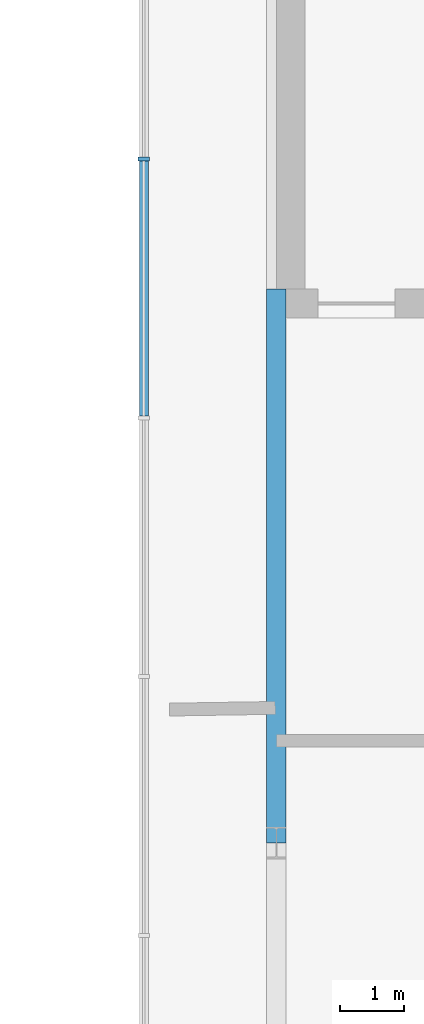
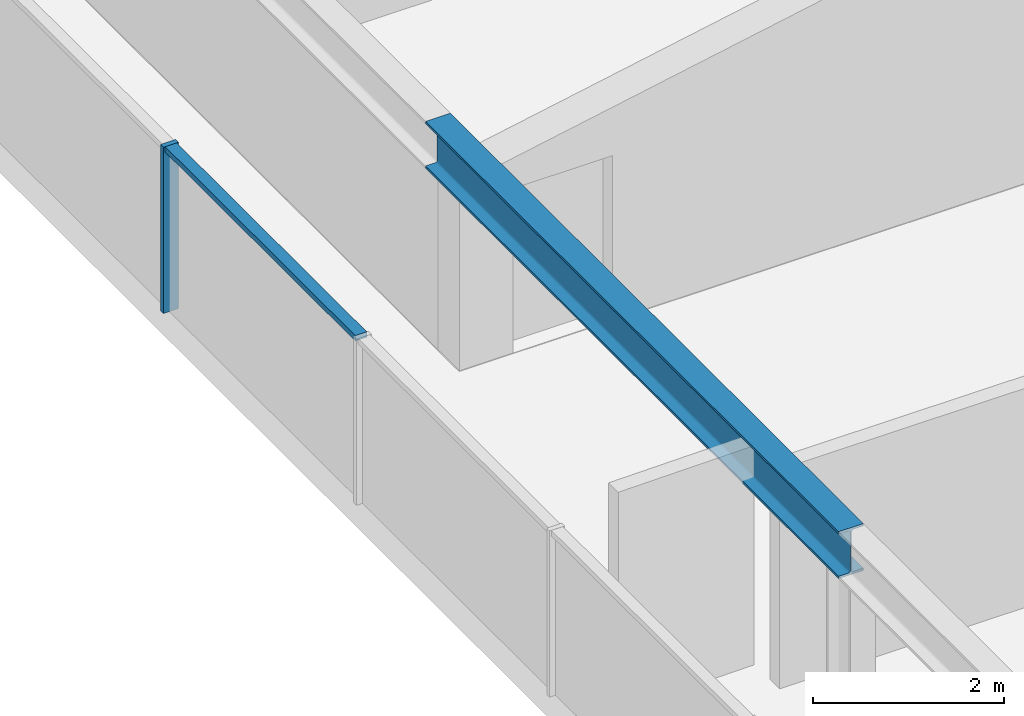
# One storey, part 4 of 17: 2 members, 1 beam, 1 element without a shape of its own.
"""IFC4 building model written with IfcOpenShell, lengths in metres."""

import ifcopenshell
import ifcopenshell.guid

model = None  # the IFC model being written
_history = None  # IfcOwnerHistory: only IFC2X3 demands one
_inside = {}  # id of a spatial element -> (the spatial element, [elements in it])
_under = {}  # id of a project, library or spatial element -> (it, [spatial elements below it])
_declared = {}  # id of a project -> (the project, [libraries it declares])
_typed = {}  # id of a type object -> (the type object, [elements of that type])
_made_of = {}  # id of a material, layer set ... -> (it, [elements and type objects made of it])


def new_model(schema):
    """Start an empty IFC model of exactly this schema.

    Asked for "IFC4X3", IfcOpenShell would pick the latest addendum, in which some entities
    have other attributes; the version numbers below select the first issue.
    IFC2X3 requires an IfcOwnerHistory on every rooted entity: one is made here for all.
    """
    global model, _history
    if schema == "IFC4X3":
        model = ifcopenshell.file(schema_version=(4, 3, 0, 0))
    else:
        model = ifcopenshell.file(schema=schema)
    _inside.clear()
    _under.clear()
    _declared.clear()
    _typed.clear()
    _made_of.clear()
    _history = None
    if model.schema == "IFC2X3":
        org = make("IfcOrganization", Name="unknown")
        user = make(
            "IfcPersonAndOrganization",
            ThePerson=make("IfcPerson", FamilyName="unknown"),
            TheOrganization=org,
        )
        app = make(
            "IfcApplication",
            ApplicationDeveloper=org,
            Version="unknown",
            ApplicationFullName="unknown",
            ApplicationIdentifier="unknown",
        )
        _history = make(
            "IfcOwnerHistory",
            OwningUser=user,
            OwningApplication=app,
            ChangeAction="ADDED",
            CreationDate=0,
        )
    return model


def make(cls, **values):
    """One entity of the class cls with the attributes given. An attribute that is None is left unset."""
    return model.create_entity(
        cls, **{name: value for name, value in values.items() if value is not None}
    )


def rooted(cls, **values):
    """An entity with a GlobalId (a new one), such as an element, a storey or a relation."""
    return make(cls, GlobalId=ifcopenshell.guid.new(), OwnerHistory=_history, **values)


def si_unit(unit_type, name, prefix=None):
    """IfcSIUnit, for example si_unit("LENGTHUNIT", "METRE", prefix="MILLI")."""
    return make("IfcSIUnit", UnitType=unit_type, Prefix=prefix, Name=name)


def assignment(units):
    """IfcUnitAssignment: the units of a project."""
    return None if units is None else make("IfcUnitAssignment", Units=units)


def point(xyz):
    """IfcCartesianPoint."""
    return None if xyz is None else make("IfcCartesianPoint", Coordinates=xyz)


def direction(xyz):
    """IfcDirection."""
    return None if xyz is None else make("IfcDirection", DirectionRatios=xyz)


def frame(location, z_axis=None, x_axis=None):
    """IfcAxis2Placement3D, a coordinate frame: its origin and axes. An axis left out is left unset."""
    return make(
        "IfcAxis2Placement3D",
        Location=point(location),
        Axis=direction(z_axis),
        RefDirection=direction(x_axis),
    )


def frame_2d(location, x_axis=None):
    """IfcAxis2Placement2D, a coordinate frame in the plane: its origin and x axis."""
    return make(
        "IfcAxis2Placement2D", Location=point(location), RefDirection=direction(x_axis)
    )


def origin():
    """The frame at (0, 0, 0) with its axes left unset."""
    return frame((0.0, 0.0, 0.0))


def origin_2d():
    """The frame at (0, 0) in the plane with its x axis left unset."""
    return frame_2d((0.0, 0.0))


def place(relative_to, where):
    """IfcLocalPlacement: puts the frame where relative to a parent placement (None: the world)."""
    return make(
        "IfcLocalPlacement", PlacementRelTo=relative_to, RelativePlacement=where
    )


def context(
    kind, dimensions, precision=None, world=None, true_north=None, identifier=None
):
    """IfcGeometricRepresentationContext, for example the 3D "Model" context."""
    return make(
        "IfcGeometricRepresentationContext",
        ContextIdentifier=identifier,
        ContextType=kind,
        CoordinateSpaceDimension=dimensions,
        Precision=precision,
        WorldCoordinateSystem=world,
        TrueNorth=true_north,
    )


def subcontext(parent, identifier, kind, view, scale=None):
    """IfcGeometricRepresentationSubContext, for example "Body" below "Model"."""
    return make(
        "IfcGeometricRepresentationSubContext",
        ContextIdentifier=identifier,
        ContextType=kind,
        ParentContext=parent,
        TargetScale=scale,
        TargetView=view,
    )


def project(units=None, contexts=None):
    """IfcProject with its units and contexts."""
    return rooted(
        "IfcProject",
        Name="project",
        RepresentationContexts=contexts,
        UnitsInContext=assignment(units),
    )


def spatial(cls, under=None, at=None, **own):
    """A site, building, storey or space (cls), placed at a placement, below another one or the project."""
    s = rooted(cls, ObjectPlacement=at, **own)
    if under is not None:
        _under.setdefault(under.id(), (under, []))[1].append(s)
    return s


def profile(cls, at=None, kind="AREA", **sizes):
    """A parametric profile (cls). Its sizes go by their IFC names, for example OverallWidth=200.0."""
    return make(cls, ProfileType=kind, Position=at, **sizes)


def rectangle(**sizes):
    """IfcRectangleProfileDef."""
    return profile("IfcRectangleProfileDef", **sizes)


def i_section(**sizes):
    """IfcIShapeProfileDef."""
    return profile("IfcIShapeProfileDef", **sizes)


def extrude(swept, where, along, depth):
    """IfcExtrudedAreaSolid: the profile swept, set in the frame where, extruded along a direction by depth."""
    return make(
        "IfcExtrudedAreaSolid",
        SweptArea=swept,
        Position=where,
        ExtrudedDirection=direction(along),
        Depth=depth,
    )


def shape(context_of_items, identifier, shape_type, items):
    """IfcShapeRepresentation: the items that make up one representation, for example the "Body"."""
    return make(
        "IfcShapeRepresentation",
        ContextOfItems=context_of_items,
        RepresentationIdentifier=identifier,
        RepresentationType=shape_type,
        Items=items,
    )


def material(Name=None, Category=None):
    """IfcMaterial."""
    return make("IfcMaterial", Name=Name, Category=Category)


def material_profile(
    of_material, cross_section, Name=None, Category=None, Priority=None
):
    """IfcMaterialProfile: a cross section and its material."""
    return make(
        "IfcMaterialProfile",
        Name=Name,
        Material=of_material,
        Profile=cross_section,
        Priority=Priority,
        Category=Category,
    )


def profile_set(profiles, Name=None, composite=None):
    """IfcMaterialProfileSet."""
    return make(
        "IfcMaterialProfileSet",
        Name=Name,
        MaterialProfiles=profiles,
        CompositeProfile=composite,
    )


def made_of(thing, what):
    """Note that an element or type object is made of a material, layer set ...; save() writes the relation."""
    if what is not None:
        _made_of.setdefault(what.id(), (what, []))[1].append(thing)
    return thing


def type_object(cls, material=None, **own):
    """A type object (cls), such as IfcWallType, which elements share."""
    return made_of(rooted(cls, **own), material)


def element(
    cls,
    number,
    at=None,
    inside=None,
    cuts=None,
    type_object=None,
    material=None,
    context=None,
    identifier="Body",
    shape_type=None,
    held_by="IfcProductDefinitionShape",
    body=None,
    shapes=None,
    **own,
):
    """One element of the class cls, such as IfcWall. Its Tag is "e" and its number.

    at: its placement. inside: the storey or other place that contains it. cuts: it is an
    opening in that element (IfcRelVoidsElement). A single representation is given by context,
    identifier, shape_type and body (its items); several are given by shapes. held_by: the class
    of the entity that holds the representations. save() writes the other relations.
    """
    e = rooted(cls, Tag="e%d" % number, ObjectPlacement=at, **own)
    if body is not None:
        shapes = [shape(context, identifier, shape_type, body)]
    if shapes is not None:
        e.Representation = make(held_by, Representations=shapes)
    if inside is not None:
        _inside.setdefault(inside.id(), (inside, []))[1].append(e)
    if cuts is not None:
        rooted(
            "IfcRelVoidsElement", RelatingBuildingElement=cuts, RelatedOpeningElement=e
        )
    if type_object is not None:
        _typed.setdefault(type_object.id(), (type_object, []))[1].append(e)
    return made_of(e, material)


def aggregate(whole, parts):
    """IfcRelAggregates: a whole, such as a stair, and the parts it consists of."""
    return rooted("IfcRelAggregates", RelatingObject=whole, RelatedObjects=parts)


def save(model, path):
    """Write the relations noted so far, then the file.

    IfcRelAggregates (storeys below a building ...), IfcRelContainedInSpatialStructure (elements
    in a storey), IfcRelDefinesByType, IfcRelAssociatesMaterial and IfcRelDeclares: one each for
    every whole, place, type object, material and project.
    """
    for whole, parts in _under.values():
        aggregate(whole, parts)
    for where, things in _inside.values():
        rooted(
            "IfcRelContainedInSpatialStructure",
            RelatedElements=things,
            RelatingStructure=where,
        )
    for kind, things in _typed.values():
        rooted("IfcRelDefinesByType", RelatedObjects=things, RelatingType=kind)
    for what, things in _made_of.values():
        rooted("IfcRelAssociatesMaterial", RelatedObjects=things, RelatingMaterial=what)
    for by, libraries in _declared.values():
        rooted("IfcRelDeclares", RelatingContext=by, RelatedDefinitions=libraries)
    model.write(path)


model = new_model("IFC4")

# Units and contexts
model_context = context("Model", 3, precision=1e-05, world=origin(), true_north=direction((0.0, 1.0)))
body_context = subcontext(model_context, "Body", "Model", "MODEL_VIEW")
ifc_project = project(units=[si_unit("LENGTHUNIT", "METRE"), si_unit("AREAUNIT", "SQUARE_METRE"), si_unit("VOLUMEUNIT", "CUBIC_METRE"), si_unit("PLANEANGLEUNIT", "RADIAN"), si_unit("MASSUNIT", "GRAM", prefix="KILO")], contexts=[model_context])

# Site, building, storey
site_placement = place(None, origin())
site = spatial("IfcSite", under=ifc_project, at=site_placement, CompositionType="ELEMENT")
building_placement = place(site_placement, origin())
building = spatial("IfcBuilding", under=site, at=building_placement, Name="Wharfspan Tower", CompositionType="ELEMENT")
storey_placement = place(building_placement, frame((0.0, 0.0, 261.100098)))
storey = spatial("IfcBuildingStorey", under=building, at=storey_placement, Name="L66", CompositionType="ELEMENT", Elevation=261.100098)

# Curtain wall, member
ifc_material_1 = material(Name="Aluminium 6063-T6", Category="aluminium")
curtain_wall_type = type_object("IfcCurtainWallType", Name="CURTAIN WALL CROWN GABLE", PredefinedType="NOTDEFINED", material=ifc_material_1)
curtain_wall_placement = place(storey_placement, origin())
curtain_wall = element("IfcCurtainWall", 1, at=curtain_wall_placement, inside=storey, type_object=curtain_wall_type, Name="Crown gable glazing", PredefinedType="NOTDEFINED")
ifc_material_profile_1 = material_profile(ifc_material_1, rectangle(XDim=0.179932, YDim=0.060059, at=origin_2d()))
ifc_profile_set_1 = profile_set([ifc_material_profile_1], Name="Aluminium 6063-T6")
member_type_1 = type_object("IfcMemberType", Name="MULLION CROWN GABLE 60x180", PredefinedType="MULLION", material=ifc_profile_set_1)
member_1_placement = place(storey_placement, frame((20.930176, 36.482422, 0.0), z_axis=(0.0, 0.0, 1.0), x_axis=(-1.0, 0.0, 0.0)))
member_1 = element("IfcMember", 2, at=member_1_placement, type_object=member_type_1, Name="Crown gable glazing mullion 8", PredefinedType="MULLION", context=body_context, shape_type="SweptSolid", body=[
    extrude(rectangle(XDim=0.179932, YDim=0.060059, at=origin_2d()), origin(), (0.0, 0.0, 1.0), 2.124268),
])

# Beam
ifc_material_2 = material(Name="Steel S355J2", Category="steel")
ifc_material_profile_2 = material_profile(ifc_material_2, i_section(OverallWidth=0.300049, OverallDepth=0.600098, WebThickness=0.015381, FlangeThickness=0.030029, FilletRadius=0.0271, at=origin_2d()))
ifc_profile_set_2 = profile_set([ifc_material_profile_2], Name="Steel S355J2")
beam_type = type_object("IfcBeamType", Name="Roof girder HEB 600", PredefinedType="BEAM", material=ifc_profile_set_2)
beam_placement = place(storey_placement, frame((23.0, 25.804199, 2.665527), z_axis=(0.0, 1.0, 0.0), x_axis=(-1.0, 0.0, 0.0)))
element("IfcBeam", 3, at=beam_placement, inside=storey, type_object=beam_type, Name="Roof girder G1 26 to 34", PredefinedType="BEAM", context=body_context, shape_type="SweptSolid", body=[
    extrude(i_section(OverallWidth=0.300049, OverallDepth=0.600098, WebThickness=0.015381, FlangeThickness=0.030029, FilletRadius=0.0271, at=origin_2d()), origin(), (0.0, 0.0, 1.0), 8.645752),
])

# Member
ifc_material_profile_3 = material_profile(ifc_material_1, rectangle(XDim=0.139893, YDim=0.070068, at=origin_2d()))
ifc_profile_set_3 = profile_set([ifc_material_profile_3], Name="Aluminium 6063-T6")
member_type_2 = type_object("IfcMemberType", Name="TRANSOM CROWN GABLE 70x140", PredefinedType="USERDEFINED", material=ifc_profile_set_3)
member_2_placement = place(storey_placement, frame((20.930176, 32.471191, 2.089355), z_axis=(0.0, 1.0, 0.0), x_axis=(-1.0, 0.0, 0.0)))
member_2 = element("IfcMember", 4, at=member_2_placement, type_object=member_type_2, Name="Crown gable glazing transom 7", ObjectType="TRANSOM", PredefinedType="USERDEFINED", context=body_context, shape_type="SweptSolid", body=[
    extrude(rectangle(XDim=0.139893, YDim=0.070068, at=origin_2d()), origin(), (0.0, 0.0, 1.0), 3.981445),
])

aggregate(curtain_wall, [member_1, member_2])

save(model, "model.ifc")
